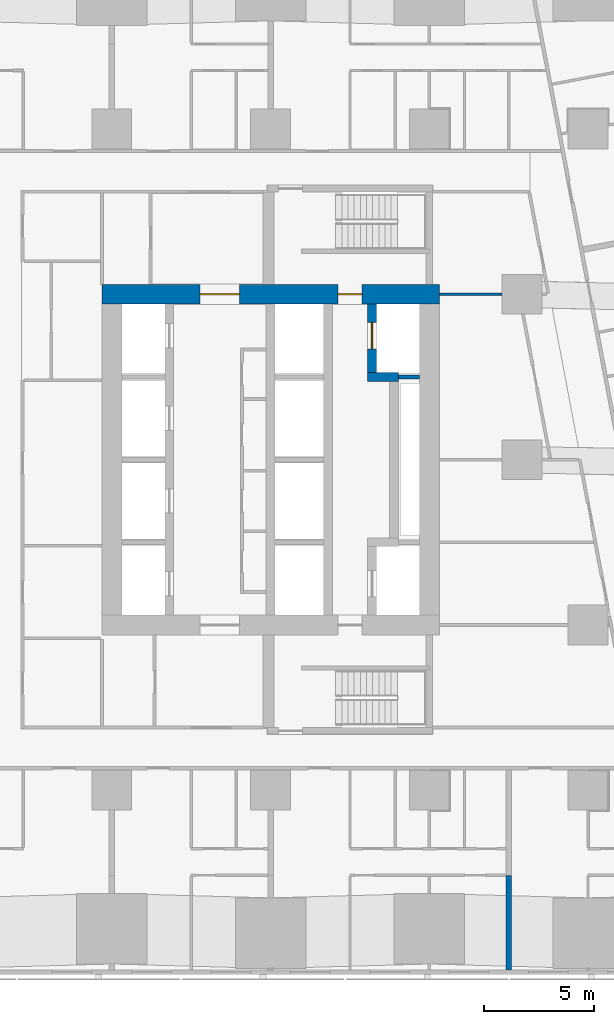
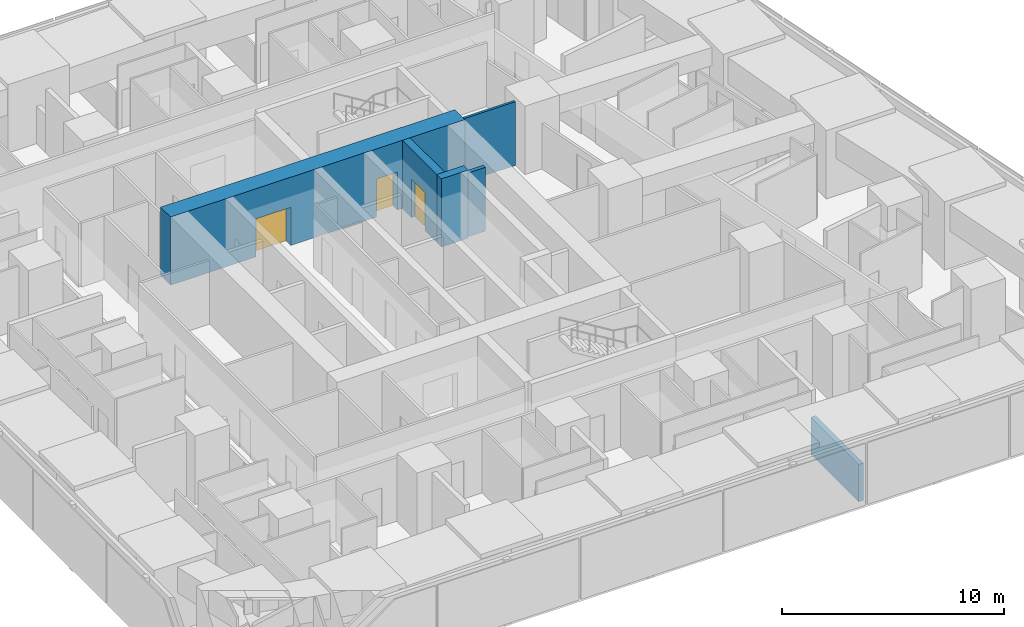
# One storey, part 7 of 17: 6 walls, 3 doors, 3 openings.
"""IFC4 building model written with IfcOpenShell, lengths in metres."""

from ifc_helpers import new_model, si_unit, direction, frame, frame_2d, origin, place, context, subcontext, project, spatial, rectangle, extrude, material, layer, layer_set, type_object, element, fill, save


model = new_model("IFC4")

# Units and contexts
model_context = context("Model", 3, precision=1e-05, world=origin(), true_north=direction((0.0, 1.0)))
body_context = subcontext(model_context, "Body", "Model", "MODEL_VIEW")
ifc_project = project(units=[si_unit("LENGTHUNIT", "METRE"), si_unit("AREAUNIT", "SQUARE_METRE"), si_unit("VOLUMEUNIT", "CUBIC_METRE"), si_unit("PLANEANGLEUNIT", "RADIAN"), si_unit("MASSUNIT", "GRAM", prefix="KILO")], contexts=[model_context])

# Site, building, storey
site_placement = place(None, origin())
site = spatial("IfcSite", under=ifc_project, at=site_placement, CompositionType="ELEMENT")
building_placement = place(site_placement, origin())
building = spatial("IfcBuilding", under=site, at=building_placement, Name="Sheger Commons Tower", CompositionType="ELEMENT")
storey_placement = place(building_placement, frame((0.0, 0.0, 23.75)))
storey = spatial("IfcBuildingStorey", under=building, at=storey_placement, Name="L05", CompositionType="ELEMENT", Elevation=23.75)

# Wall
ifc_material_1 = material(Name="Concrete C50/60", Category="concrete")
ifc_layer_1 = layer(ifc_material_1, 0.39990234375)
ifc_layer_set_1 = layer_set([ifc_layer_1], Name="CORE INNER WALL 400")
wall_type_1 = type_object("IfcWallType", Name="CORE INNER WALL 400", PredefinedType="SHEAR", material=ifc_layer_set_1)
wall_1_placement = place(storey_placement, frame((26.0, 26.25, 0.0), z_axis=(0.0, 0.0, 1.0), x_axis=(1.0, 0.0, 0.0)))
element("IfcWall", 1, at=wall_1_placement, inside=storey, type_object=wall_type_1, Name="Core inner wall F north return L05", PredefinedType="SHEAR", context=body_context, shape_type="SweptSolid", body=[
    extrude(rectangle(XDim=1.39990234375, YDim=0.39990234375, at=frame_2d((0.699951171875, 0.0))), origin(), (0.0, 0.0, 1.0), 3.75),
])

# Wall, opening, door
wall_2_placement = place(storey_placement, frame((26.199951171875, 26.449951171875, 0.0), z_axis=(0.0, 0.0, 1.0), x_axis=(0.0, 1.0, 0.0)))
wall_2 = element("IfcWall", 2, at=wall_2_placement, inside=storey, type_object=wall_type_1, Name="Core inner wall F north L05", PredefinedType="SHEAR", context=body_context, shape_type="SweptSolid", body=[
    extrude(rectangle(XDim=3.10009765625, YDim=0.39990234375, at=frame_2d((1.550048828125, 0.0))), origin(), (0.0, 0.0, 1.0), 3.75),
])
opening_1_placement = place(wall_2_placement, frame((1.074951171875, 0.0, 0.0)))
opening_1 = element("IfcOpeningElement", 3, at=opening_1_placement, cuts=wall_2, Name="Opening LD2", PredefinedType="OPENING", context=body_context, shape_type="SweptSolid", body=[
    extrude(rectangle(XDim=1.199951171875, YDim=2.10009765625, at=frame_2d((0.60009765625, 1.050048828125))), frame((0.0, 0.2099609375, 0.0), z_axis=(0.0, -1.0, 0.0), x_axis=(1.0, 0.0, 0.0)), (0.0, 0.0, 1.0), 0.419921875),
])
ifc_material_2 = material(Name="Steel door set, fire rated", Category="steel")
door_type_1 = type_object("IfcDoorType", Name="FIREFIGHTING LIFT LANDING DOOR 1200x2100", OperationType="DOUBLE_DOOR_SLIDING", PredefinedType="DOOR", material=ifc_material_2)
door_1_placement = place(opening_1_placement, origin())
door_1 = element("IfcDoor", 4, at=door_1_placement, inside=storey, type_object=door_type_1, Name="Lift FL2 landing door", OperationType="DOUBLE_DOOR_SLIDING", OverallHeight=2.10009765625, OverallWidth=1.199951171875, PredefinedType="DOOR", context=body_context, shape_type="SweptSolid", body=[
    extrude(rectangle(XDim=1.199951171875, YDim=2.10009765625, at=frame_2d((0.60009765625, 1.050048828125))), frame((0.0, 0.02490234375, 0.0), z_axis=(0.0, -1.0, 0.0), x_axis=(1.0, 0.0, 0.0)), (0.0, 0.0, 1.0), 0.050048828125),
])
fill(opening_1, door_1)

# Wall, openings, doors
ifc_material_3 = material(Name="Concrete C50/60", Category="concrete")
ifc_layer_2 = layer(ifc_material_3, 0.89990234375)
ifc_layer_set_2 = layer_set([ifc_layer_2], Name="CORE WALL 900")
wall_type_2 = type_object("IfcWallType", Name="CORE WALL 900", PredefinedType="SHEAR", material=ifc_layer_set_2)
wall_3_placement = place(storey_placement, frame((13.949951171875, 30.0, 0.0), z_axis=(0.0, 0.0, 1.0), x_axis=(1.0, 0.0, 0.0)))
wall_3 = element("IfcWall", 5, at=wall_3_placement, inside=storey, type_object=wall_type_2, Name="Core wall north L05", PredefinedType="SHEAR", context=body_context, shape_type="SweptSolid", body=[
    extrude(rectangle(XDim=15.300048828125, YDim=0.89990234375, at=frame_2d((7.64990234375, 0.0))), origin(), (0.0, 0.0, 1.0), 3.75),
])
opening_2_placement = place(wall_3_placement, frame((4.449951171875, 0.0, 0.0)))
opening_2 = element("IfcOpeningElement", 6, at=opening_2_placement, cuts=wall_3, Name="Opening D6", PredefinedType="OPENING", context=body_context, shape_type="SweptSolid", body=[
    extrude(rectangle(XDim=1.800048828125, YDim=2.10009765625, at=frame_2d((0.89990234375, 1.050048828125))), frame((0.0, 0.4599609375, 0.0), z_axis=(0.0, -1.0, 0.0), x_axis=(1.0, 0.0, 0.0)), (0.0, 0.0, 1.0), 0.919921875),
])
opening_3_placement = place(wall_3_placement, frame((10.699951171875, 0.0, 0.0)))
opening_3 = element("IfcOpeningElement", 7, at=opening_3_placement, cuts=wall_3, Name="Opening D5", PredefinedType="OPENING", context=body_context, shape_type="SweptSolid", body=[
    extrude(rectangle(XDim=1.10009765625, YDim=2.10009765625, at=frame_2d((0.550048828125, 1.050048828125))), frame((0.0, 0.4599609375, 0.0), z_axis=(0.0, -1.0, 0.0), x_axis=(1.0, 0.0, 0.0)), (0.0, 0.0, 1.0), 0.919921875),
])
ifc_material_4 = material(Name="Steel door set, fire rated", Category="steel")
door_type_2 = type_object("IfcDoorType", Name="LOBBY DOUBLE DOOR 1800x2100", OperationType="DOUBLE_DOOR_SINGLE_SWING", PredefinedType="DOOR", material=ifc_material_4)
door_2_placement = place(opening_2_placement, origin())
door_2 = element("IfcDoor", 8, at=door_2_placement, inside=storey, type_object=door_type_2, Name="Lift lobby door", OperationType="DOUBLE_DOOR_SINGLE_SWING", OverallHeight=2.10009765625, OverallWidth=1.800048828125, PredefinedType="DOOR", context=body_context, shape_type="SweptSolid", body=[
    extrude(rectangle(XDim=1.800048828125, YDim=2.10009765625, at=frame_2d((0.89990234375, 1.050048828125))), frame((0.0, 0.02490234375, 0.0), z_axis=(0.0, -1.0, 0.0), x_axis=(1.0, 0.0, 0.0)), (0.0, 0.0, 1.0), 0.050048828125),
])
fill(opening_2, door_2)
ifc_material_5 = material(Name="Steel door set, fire rated", Category="steel")
door_type_3 = type_object("IfcDoorType", Name="STAIR DOOR 1100x2100", OperationType="NOTDEFINED", PredefinedType="DOOR", material=ifc_material_5)
door_3_placement = place(opening_3_placement, origin())
door_3 = element("IfcDoor", 9, at=door_3_placement, inside=storey, type_object=door_type_3, Name="Fire-fighting lobby door", OperationType="SINGLE_SWING_RIGHT", OverallHeight=2.10009765625, OverallWidth=1.10009765625, PredefinedType="DOOR", context=body_context, shape_type="SweptSolid", body=[
    extrude(rectangle(XDim=1.10009765625, YDim=2.10009765625, at=frame_2d((0.550048828125, 1.050048828125))), frame((0.0, 0.02490234375, 0.0), z_axis=(0.0, -1.0, 0.0), x_axis=(1.0, 0.0, 0.0)), (0.0, 0.0, 1.0), 0.050048828125),
])
fill(opening_3, door_3)

# Walls
ifc_material_6 = material(Name="Dense concrete block masonry, plastered both sides (separating wall between flats)", Category="masonry")
ifc_layer_3 = layer(ifc_material_6, 0.25)
ifc_layer_set_3 = layer_set([ifc_layer_3], Name="DEMISING WALL 250")
wall_type_3 = type_object("IfcWallType", Name="DEMISING WALL 250", PredefinedType="SOLIDWALL", material=ifc_layer_set_3)
wall_4_placement = place(storey_placement, frame((32.39990234375, -0.64990234375, 0.0), z_axis=(0.0, 0.0, 1.0), x_axis=(0.0, 1.0, 0.0)))
element("IfcWall", 10, at=wall_4_placement, inside=storey, type_object=wall_type_3, Name="Demising wall L05", PredefinedType="SOLIDWALL", context=body_context, shape_type="SweptSolid", body=[
    extrude(rectangle(XDim=4.2998046875, YDim=0.25, at=frame_2d((2.14990234375, 0.0))), origin(), (0.0, 0.0, 1.0), 2.050048828125),
])
ifc_material_7 = material(Name="Gypsum board on steel studs, two layers each side, fire rated", Category="steel")
ifc_layer_4 = layer(ifc_material_7, 0.125)
ifc_layer_set_4 = layer_set([ifc_layer_4], Name="SERVICE WALL 125")
wall_type_4 = type_object("IfcWallType", Name="SERVICE WALL 125", PredefinedType="PARTITIONING", material=ifc_layer_set_4)
wall_5_placement = place(storey_placement, frame((29.25, 30.0, 0.0), z_axis=(0.0, 0.0, 1.0), x_axis=(1.0, 0.0, 0.0)))
element("IfcWall", 11, at=wall_5_placement, inside=storey, type_object=wall_type_4, Name="Service room wall L05", PredefinedType="PARTITIONING", context=body_context, shape_type="SweptSolid", body=[
    extrude(rectangle(XDim=2.84912109375, YDim=0.125, at=frame_2d((1.424560546875, 0.0))), origin(), (0.0, 0.0, 1.0), 3.5),
])
ifc_material_8 = material(Name="Hollow concrete block masonry", Category="masonry")
ifc_layer_5 = layer(ifc_material_8, 0.199951171875)
ifc_layer_set_5 = layer_set([ifc_layer_5], Name="SHAFT WALL 200")
wall_type_5 = type_object("IfcWallType", Name="SHAFT WALL 200", PredefinedType="SOLIDWALL", material=ifc_layer_set_5)
wall_6_placement = place(storey_placement, frame((27.39990234375, 26.25, 0.0), z_axis=(0.0, 0.0, 1.0), x_axis=(1.0, 0.0, 0.0)))
element("IfcWall", 12, at=wall_6_placement, inside=storey, type_object=wall_type_5, Name="Lift shaft wall L05", PredefinedType="SOLIDWALL", context=body_context, shape_type="SweptSolid", body=[
    extrude(rectangle(XDim=0.9501953125, YDim=0.199951171875, at=frame_2d((0.47509765625, 0.0))), origin(), (0.0, 0.0, 1.0), 3.5),
])

save(model, "model.ifc")
